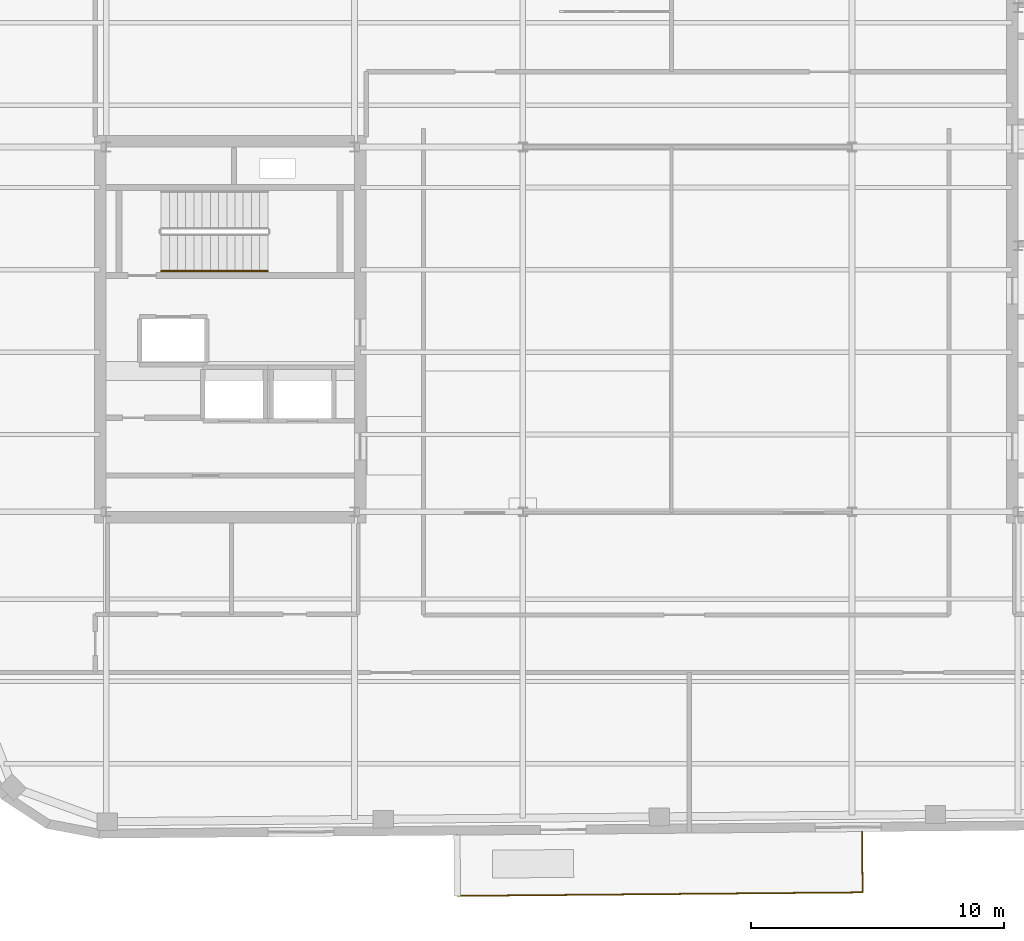
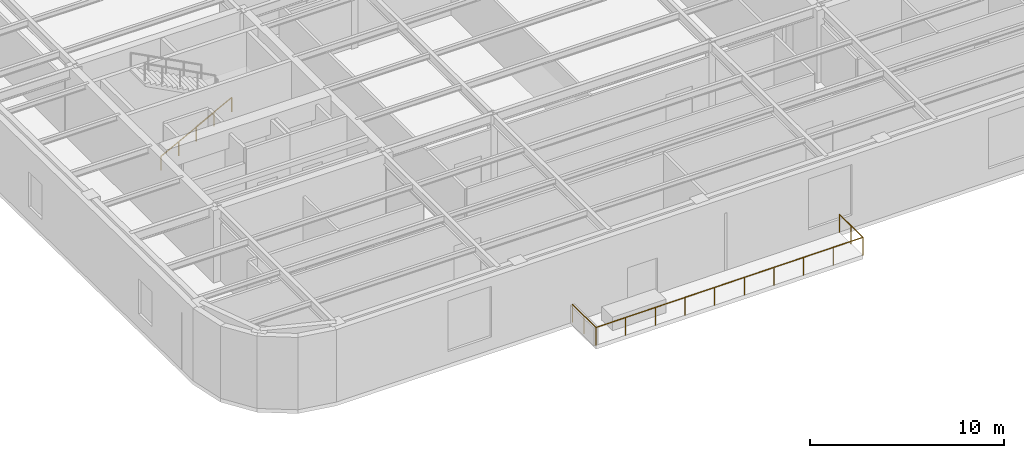
# One storey, part 11 of 13: 2 railings.
"""IFC4 building model written with IfcOpenShell, lengths in metres."""

from ifc_helpers import new_model, si_unit, direction, frame, origin, origin_2d, place, context, subcontext, project, spatial, circle, extrude, material, type_object, element, save


model = new_model("IFC4")

# Units and contexts
model_context = context("Model", 3, precision=1e-05, world=origin(), true_north=direction((0.0, 1.0)))
body_context = subcontext(model_context, "Body", "Model", "MODEL_VIEW")
ifc_project = project(units=[si_unit("LENGTHUNIT", "METRE"), si_unit("AREAUNIT", "SQUARE_METRE"), si_unit("VOLUMEUNIT", "CUBIC_METRE"), si_unit("PLANEANGLEUNIT", "RADIAN"), si_unit("MASSUNIT", "GRAM", prefix="KILO")], contexts=[model_context])

# Site, building, storey
site_placement = place(None, origin())
site = spatial("IfcSite", under=ifc_project, at=site_placement, CompositionType="ELEMENT")
building_placement = place(site_placement, origin())
building = spatial("IfcBuilding", under=site, at=building_placement, Name="Kolvaren Arena Tower", CompositionType="ELEMENT")
storey_placement = place(building_placement, frame((0.0, 0.0, 312.39990234375)))
storey = spatial("IfcBuildingStorey", under=building, at=storey_placement, Name="L77", CompositionType="ELEMENT", Elevation=312.39990234375)

# Railings
ifc_material_1 = material(Name="Stainless steel and laminated glass guard", Category="steel")
railing_type_1 = type_object("IfcRailingType", Name="GUARD-TER-115", PredefinedType="BALUSTRADE", material=ifc_material_1)
railing_1_placement = place(storey_placement, frame((28.397216796875, 6.680908203125, 0.0)))
element("IfcRailing", 1, at=railing_1_placement, inside=storey, type_object=railing_type_1, Name="Setback Terrace Perimeter Guardrail (L77)", PredefinedType="BALUSTRADE", context=body_context, shape_type="SweptSolid", body=[
    extrude(circle(Radius=0.030029296875, at=origin_2d()), frame((0.0, 0.0, 1.119873046875), z_axis=(0.00864667573, -0.999962616801, 0.0), x_axis=(0.999962616801, 0.00864667573, 0.0)), (0.0, 0.0, 1.0), 2.39990234375),
    extrude(circle(Radius=0.030029296875, at=origin_2d()), frame((0.020751953125, -2.39990234375, 1.119873046875), z_axis=(0.999961777332, 0.008743218763, 0.0), x_axis=(-0.008743218763, 0.999961777332, 0.0)), (0.0, 0.0, 1.0), 16.000244140625),
    extrude(circle(Radius=0.030029296875, at=origin_2d()), frame((16.020263671875, -2.260009765625, 1.119873046875), z_axis=(-0.008748393587, 0.999961732073, 0.0), x_axis=(-0.999961732073, -0.008748393587, 0.0)), (0.0, 0.0, 1.0), 2.39990234375),
    extrude(circle(Radius=0.02490234375, at=origin_2d()), origin(), (0.0, 0.0, 1.0), 1.08984375),
    extrude(circle(Radius=0.02490234375, at=origin_2d()), frame((0.01025390625, -1.199951171875, 0.0)), (0.0, 0.0, 1.0), 1.08984375),
    extrude(circle(Radius=0.02490234375, at=origin_2d()), frame((0.020751953125, -2.39990234375, 0.0)), (0.0, 0.0, 1.0), 1.08984375),
    extrude(circle(Radius=0.02490234375, at=origin_2d()), frame((1.798583984375, -2.38427734375, 0.0)), (0.0, 0.0, 1.0), 1.08984375),
    extrude(circle(Radius=0.02490234375, at=origin_2d()), frame((3.576171875, -2.368896484375, 0.0)), (0.0, 0.0, 1.0), 1.08984375),
    extrude(circle(Radius=0.02490234375, at=origin_2d()), frame((5.35400390625, -2.353271484375, 0.0)), (0.0, 0.0, 1.0), 1.08984375),
    extrude(circle(Radius=0.02490234375, at=origin_2d()), frame((7.131591796875, -2.337646484375, 0.0)), (0.0, 0.0, 1.0), 1.08984375),
    extrude(circle(Radius=0.02490234375, at=origin_2d()), frame((8.909423828125, -2.322265625, 0.0)), (0.0, 0.0, 1.0), 1.08984375),
    extrude(circle(Radius=0.02490234375, at=origin_2d()), frame((10.68701171875, -2.306640625, 0.0)), (0.0, 0.0, 1.0), 1.08984375),
    extrude(circle(Radius=0.02490234375, at=origin_2d()), frame((12.46484375, -2.291015625, 0.0)), (0.0, 0.0, 1.0), 1.08984375),
    extrude(circle(Radius=0.02490234375, at=origin_2d()), frame((14.242431640625, -2.275634765625, 0.0)), (0.0, 0.0, 1.0), 1.08984375),
    extrude(circle(Radius=0.02490234375, at=origin_2d()), frame((16.020263671875, -2.260009765625, 0.0)), (0.0, 0.0, 1.0), 1.08984375),
    extrude(circle(Radius=0.02490234375, at=origin_2d()), frame((16.009765625, -1.06005859375, 0.0)), (0.0, 0.0, 1.0), 1.08984375),
    extrude(circle(Radius=0.02490234375, at=origin_2d()), frame((15.999267578125, 0.139892578125, 0.0)), (0.0, 0.0, 1.0), 1.08984375),
])
ifc_material_2 = material(Name="Brushed stainless steel handrail", Category="steel")
railing_type_2 = type_object("IfcRailingType", Name="HRAIL-900", PredefinedType="HANDRAIL", material=ifc_material_2)
railing_2_placement = place(storey_placement, frame((16.719970703125, 28.949951171875, 0.171630859375)))
element("IfcRailing", 2, at=railing_2_placement, inside=storey, type_object=railing_type_2, Name="L77 ST-W1 stair handrail 1", PredefinedType="HANDRAIL", context=body_context, shape_type="SweptSolid", body=[
    extrude(circle(Radius=0.02392578125, at=origin_2d()), frame((0.0, 0.0, 0.8759765625), z_axis=(0.883902544957, 0.0, 0.467671135542), x_axis=(0.0, 1.0, 0.0)), (0.0, 0.0, 1.0), 4.76513671875),
    extrude(circle(Radius=0.02099609375, at=origin_2d()), origin(), (0.0, 0.0, 1.0), 0.851806640625),
    extrude(circle(Radius=0.02099609375, at=origin_2d()), frame((1.052978515625, 0.0, 0.55712890625)), (0.0, 0.0, 1.0), 0.851806640625),
    extrude(circle(Radius=0.02099609375, at=origin_2d()), frame((2.10595703125, 0.0, 1.1142578125)), (0.0, 0.0, 1.0), 0.851806640625),
    extrude(circle(Radius=0.02099609375, at=origin_2d()), frame((3.158935546875, 0.0, 1.67138671875)), (0.0, 0.0, 1.0), 0.851806640625),
    extrude(circle(Radius=0.02099609375, at=origin_2d()), frame((4.2119140625, 0.0, 2.228515625)), (0.0, 0.0, 1.0), 0.851806640625),
])

save(model, "model.ifc")
